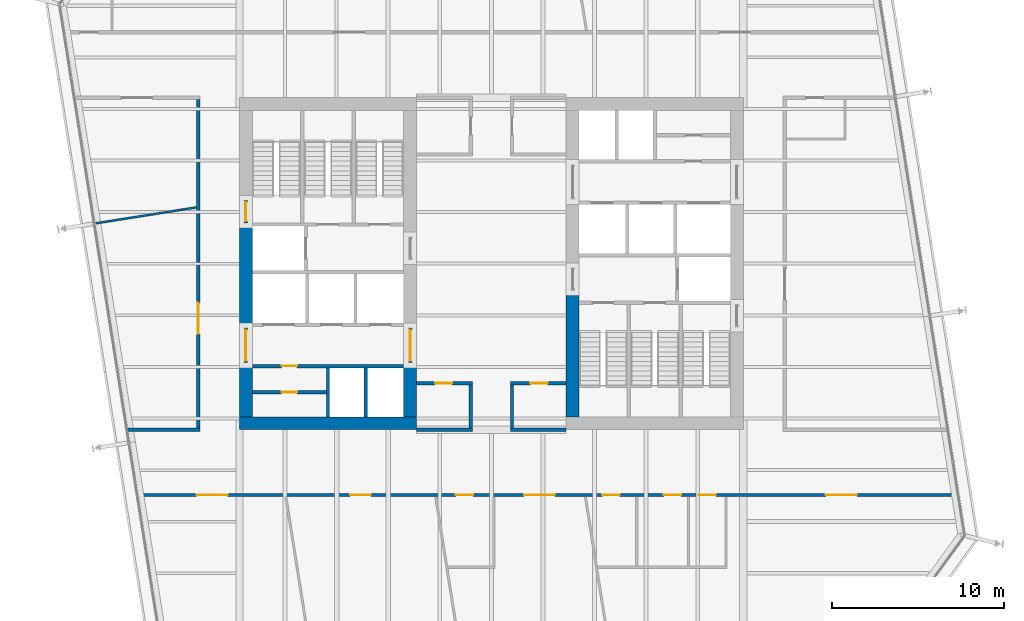
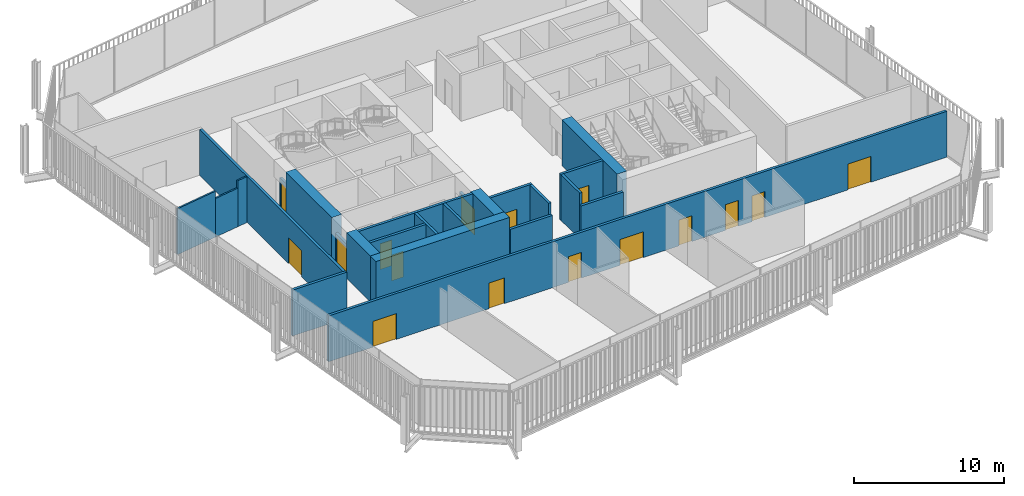
# One storey, part 17 of 21: 24 walls, 16 doors, 16 openings.
"""IFC4 building model written with IfcOpenShell, lengths in metres."""

from ifc_helpers import new_model, si_unit, direction, frame, frame_2d, origin, place, context, subcontext, project, spatial, rectangle, extrude, material, layer, layer_set, type_object, element, fill, save


model = new_model("IFC4")

# Units and contexts
model_context = context("Model", 3, precision=1e-05, world=origin(), true_north=direction((0.0, 1.0)))
body_context = subcontext(model_context, "Body", "Model", "MODEL_VIEW")
ifc_project = project(units=[si_unit("LENGTHUNIT", "METRE"), si_unit("AREAUNIT", "SQUARE_METRE"), si_unit("VOLUMEUNIT", "CUBIC_METRE"), si_unit("PLANEANGLEUNIT", "RADIAN"), si_unit("MASSUNIT", "GRAM", prefix="KILO")], contexts=[model_context])

# Site, building, storey
site_placement = place(None, origin())
site = spatial("IfcSite", under=ifc_project, at=site_placement, CompositionType="ELEMENT")
building_placement = place(site_placement, origin())
building = spatial("IfcBuilding", under=site, at=building_placement, Name="Millrace Tower", CompositionType="ELEMENT")
storey_placement = place(building_placement, frame((0.0, 0.0, 149.0)))
storey = spatial("IfcBuildingStorey", under=building, at=storey_placement, Name="L33", CompositionType="ELEMENT", Elevation=149.0)

# Walls
ifc_material_1 = material(Name="Concrete C70", Category="concrete")
ifc_layer_1 = layer(ifc_material_1, 0.75)
ifc_layer_set_1 = layer_set([ifc_layer_1], Name="Concrete C70")
wall_type_1 = type_object("IfcWallType", Name="Core wall 750 Concrete C70", PredefinedType="SHEAR", material=ifc_layer_set_1)
wall_1_placement = place(storey_placement, frame((-14.64990234375, -9.27490234375, 0.0), z_axis=(0.0, 0.0, 1.0), x_axis=(1.0, 0.0, 0.0)))
element("IfcWall", 1, at=wall_1_placement, inside=storey, type_object=wall_type_1, Name="Core wall W L33", PredefinedType="SHEAR", context=body_context, shape_type="SweptSolid", body=[
    extrude(rectangle(XDim=10.2998046875, YDim=0.75, at=frame_2d((5.14990234375, 0.0))), origin(), (0.0, 0.0, 1.0), 3.739990234375),
])
wall_2_placement = place(storey_placement, frame((-14.27490234375, -8.89990234375, 0.0), z_axis=(0.0, 0.0, 1.0), x_axis=(0.0, 1.0, 0.0)))
element("IfcWall", 2, at=wall_2_placement, inside=storey, type_object=wall_type_1, Name="Core wall W L33", PredefinedType="SHEAR", context=body_context, shape_type="SweptSolid", body=[
    extrude(rectangle(XDim=3.14990234375, YDim=0.75, at=frame_2d((1.574951171875, 0.0))), origin(), (0.0, 0.0, 1.0), 3.739990234375),
])
wall_3_placement = place(storey_placement, frame((-14.27490234375, -3.75, 0.0), z_axis=(0.0, 0.0, 1.0), x_axis=(0.0, 1.0, 0.0)))
element("IfcWall", 3, at=wall_3_placement, inside=storey, type_object=wall_type_1, Name="Core wall W L33", PredefinedType="SHEAR", context=body_context, shape_type="SweptSolid", body=[
    extrude(rectangle(XDim=6.1298828125, YDim=0.75, at=frame_2d((3.06494140625, 0.0))), origin(), (0.0, 0.0, 1.0), 3.739990234375),
])
wall_4_placement = place(storey_placement, frame((-4.72509765625, -8.89990234375, 0.0), z_axis=(0.0, 0.0, 1.0), x_axis=(0.0, 1.0, 0.0)))
element("IfcWall", 4, at=wall_4_placement, inside=storey, type_object=wall_type_1, Name="Core wall W L33", PredefinedType="SHEAR", context=body_context, shape_type="SweptSolid", body=[
    extrude(rectangle(XDim=3.14990234375, YDim=0.75, at=frame_2d((1.574951171875, 0.0))), origin(), (0.0, 0.0, 1.0), 3.739990234375),
])
wall_5_placement = place(storey_placement, frame((4.72509765625, -1.550048828125, 0.0), z_axis=(0.0, 0.0, 1.0), x_axis=(0.0, -1.0, 0.0)))
element("IfcWall", 5, at=wall_5_placement, inside=storey, type_object=wall_type_1, Name="Core wall E L33", PredefinedType="SHEAR", context=body_context, shape_type="SweptSolid", body=[
    extrude(rectangle(XDim=7.349853515625, YDim=0.75, at=frame_2d((3.6748046875, 0.0))), origin(), (0.0, 0.0, 1.0), 3.739990234375),
])

# Wall, openings, doors
ifc_material_2 = material(Name="Masonry partition, fire-rated", Category="masonry")
ifc_layer_2 = layer(ifc_material_2, 0.199951171875)
ifc_layer_set_2 = layer_set([ifc_layer_2], Name="Masonry partition, fire-rated")
wall_type_2 = type_object("IfcWallType", Name="Corridor wall 200", PredefinedType="PARTITIONING", material=ifc_layer_set_2)
wall_6_placement = place(storey_placement, frame((-20.548583984375, -13.449951171875, 0.0), z_axis=(0.0, 0.0, 1.0), x_axis=(1.0, 0.0, 0.0)))
wall_6 = element("IfcWall", 6, at=wall_6_placement, inside=storey, type_object=wall_type_2, Name="Corridor wall L33", PredefinedType="PARTITIONING", context=body_context, shape_type="SweptSolid", body=[
    extrude(rectangle(XDim=47.646728515625, YDim=0.199951171875, at=frame_2d((23.8232421875, 0.0))), origin(), (0.0, 0.0, 1.0), 3.739990234375),
])
opening_1_placement = place(wall_6_placement, frame((3.41796875, 0.0, 0.0)))
opening_1 = element("IfcOpeningElement", 7, at=opening_1_placement, cuts=wall_6, Name="Opening 33-P010", PredefinedType="OPENING", context=body_context, shape_type="SweptSolid", body=[
    extrude(rectangle(XDim=1.800048828125, YDim=2.10009765625, at=frame_2d((0.89990234375, 1.050048828125))), frame((0.0, 0.10986328125, 0.0), z_axis=(0.0, -1.0, 0.0), x_axis=(1.0, 0.0, 0.0)), (0.0, 0.0, 1.0), 0.219970703125),
])
opening_2_placement = place(wall_6_placement, frame((12.3388671875, 0.0, 0.0)))
opening_2 = element("IfcOpeningElement", 8, at=opening_2_placement, cuts=wall_6, Name="Opening 33-P011", PredefinedType="OPENING", context=body_context, shape_type="SweptSolid", body=[
    extrude(rectangle(XDim=1.199951171875, YDim=2.10009765625, at=frame_2d((0.60009765625, 1.050048828125))), frame((0.0, 0.10986328125, 0.0), z_axis=(0.0, -1.0, 0.0), x_axis=(1.0, 0.0, 0.0)), (0.0, 0.0, 1.0), 0.219970703125),
])
opening_3_placement = place(wall_6_placement, frame((22.446533203125, 0.0, 0.0)))
opening_3 = element("IfcOpeningElement", 9, at=opening_3_placement, cuts=wall_6, Name="Opening 33-P012", PredefinedType="OPENING", context=body_context, shape_type="SweptSolid", body=[
    extrude(rectangle(XDim=1.800048828125, YDim=2.10009765625, at=frame_2d((0.89990234375, 1.050048828125))), frame((0.0, 0.10986328125, 0.0), z_axis=(0.0, -1.0, 0.0), x_axis=(1.0, 0.0, 0.0)), (0.0, 0.0, 1.0), 0.219970703125),
])
opening_4_placement = place(wall_6_placement, frame((18.492431640625, 0.0, 0.0)))
opening_4 = element("IfcOpeningElement", 10, at=opening_4_placement, cuts=wall_6, Name="Opening 33-P013", PredefinedType="OPENING", context=body_context, shape_type="SweptSolid", body=[
    extrude(rectangle(XDim=1.0, YDim=2.10009765625, at=frame_2d((0.5, 1.050048828125))), frame((0.0, 0.10986328125, 0.0), z_axis=(0.0, -1.0, 0.0), x_axis=(1.0, 0.0, 0.0)), (0.0, 0.0, 1.0), 0.219970703125),
])
opening_5_placement = place(wall_6_placement, frame((39.99853515625, 0.0, 0.0)))
opening_5 = element("IfcOpeningElement", 11, at=opening_5_placement, cuts=wall_6, Name="Opening 33-P014", PredefinedType="OPENING", context=body_context, shape_type="SweptSolid", body=[
    extrude(rectangle(XDim=1.800048828125, YDim=2.10009765625, at=frame_2d((0.89990234375, 1.050048828125))), frame((0.0, 0.10986328125, 0.0), z_axis=(0.0, -1.0, 0.0), x_axis=(1.0, 0.0, 0.0)), (0.0, 0.0, 1.0), 0.219970703125),
])
opening_6_placement = place(wall_6_placement, frame((27.00048828125, 0.0, 0.0)))
opening_6 = element("IfcOpeningElement", 12, at=opening_6_placement, cuts=wall_6, Name="Opening 33-P015", PredefinedType="OPENING", context=body_context, shape_type="SweptSolid", body=[
    extrude(rectangle(XDim=1.0, YDim=2.10009765625, at=frame_2d((0.5, 1.050048828125))), frame((0.0, 0.10986328125, 0.0), z_axis=(0.0, -1.0, 0.0), x_axis=(1.0, 0.0, 0.0)), (0.0, 0.0, 1.0), 0.219970703125),
])
opening_7_placement = place(wall_6_placement, frame((30.577392578125, 0.0, 0.0)))
opening_7 = element("IfcOpeningElement", 13, at=opening_7_placement, cuts=wall_6, Name="Opening 33-P016", PredefinedType="OPENING", context=body_context, shape_type="SweptSolid", body=[
    extrude(rectangle(XDim=1.0, YDim=2.10009765625, at=frame_2d((0.5, 1.050048828125))), frame((0.0, 0.10986328125, 0.0), z_axis=(0.0, -1.0, 0.0), x_axis=(1.0, 0.0, 0.0)), (0.0, 0.0, 1.0), 0.219970703125),
])
opening_8_placement = place(wall_6_placement, frame((32.6005859375, 0.0, 0.0)))
opening_8 = element("IfcOpeningElement", 14, at=opening_8_placement, cuts=wall_6, Name="Opening 33-P017", PredefinedType="OPENING", context=body_context, shape_type="SweptSolid", body=[
    extrude(rectangle(XDim=1.0, YDim=2.10009765625, at=frame_2d((0.5, 1.050048828125))), frame((0.0, 0.10986328125, 0.0), z_axis=(0.0, -1.0, 0.0), x_axis=(1.0, 0.0, 0.0)), (0.0, 0.0, 1.0), 0.219970703125),
])
ifc_material_3 = material(Name="Steel door set, fire-rated", Category="steel")
door_type_1 = type_object("IfcDoorType", Name="Corridor door 1000 x 2100", OperationType="SINGLE_SWING_LEFT", PredefinedType="DOOR", material=ifc_material_3)
door_1_placement = place(opening_4_placement, frame((1.0, 0.0, 0.0), z_axis=(0.0, 0.0, 1.0), x_axis=(-1.0, 0.0, 0.0)))
door_1 = element("IfcDoor", 15, at=door_1_placement, inside=storey, type_object=door_type_1, Name="Door 33-P013", OperationType="SINGLE_SWING_RIGHT", OverallHeight=2.10009765625, OverallWidth=1.0, PredefinedType="DOOR", context=body_context, shape_type="SweptSolid", body=[
    extrude(rectangle(XDim=1.0, YDim=2.10009765625, at=frame_2d((0.5, 1.050048828125))), frame((0.0, 0.02490234375, 0.0), z_axis=(0.0, -1.0, 0.0), x_axis=(1.0, 0.0, 0.0)), (0.0, 0.0, 1.0), 0.050048828125),
])
fill(opening_4, door_1)
door_2_placement = place(opening_6_placement, frame((1.0, 0.0, 0.0), z_axis=(0.0, 0.0, 1.0), x_axis=(-1.0, 0.0, 0.0)))
door_2 = element("IfcDoor", 16, at=door_2_placement, inside=storey, type_object=door_type_1, Name="Door 33-P015", OperationType="SINGLE_SWING_LEFT", OverallHeight=2.10009765625, OverallWidth=1.0, PredefinedType="DOOR", context=body_context, shape_type="SweptSolid", body=[
    extrude(rectangle(XDim=1.0, YDim=2.10009765625, at=frame_2d((0.5, 1.050048828125))), frame((0.0, 0.02490234375, 0.0), z_axis=(0.0, -1.0, 0.0), x_axis=(1.0, 0.0, 0.0)), (0.0, 0.0, 1.0), 0.050048828125),
])
fill(opening_6, door_2)
door_3_placement = place(opening_7_placement, frame((1.0, 0.0, 0.0), z_axis=(0.0, 0.0, 1.0), x_axis=(-1.0, 0.0, 0.0)))
door_3 = element("IfcDoor", 17, at=door_3_placement, inside=storey, type_object=door_type_1, Name="Door 33-P016", OperationType="SINGLE_SWING_LEFT", OverallHeight=2.10009765625, OverallWidth=1.0, PredefinedType="DOOR", context=body_context, shape_type="SweptSolid", body=[
    extrude(rectangle(XDim=1.0, YDim=2.10009765625, at=frame_2d((0.5, 1.050048828125))), frame((0.0, 0.02490234375, 0.0), z_axis=(0.0, -1.0, 0.0), x_axis=(1.0, 0.0, 0.0)), (0.0, 0.0, 1.0), 0.050048828125),
])
fill(opening_7, door_3)
door_4_placement = place(opening_8_placement, frame((1.0, 0.0, 0.0), z_axis=(0.0, 0.0, 1.0), x_axis=(-1.0, 0.0, 0.0)))
door_4 = element("IfcDoor", 18, at=door_4_placement, inside=storey, type_object=door_type_1, Name="Door 33-P017", OperationType="SINGLE_SWING_LEFT", OverallHeight=2.10009765625, OverallWidth=1.0, PredefinedType="DOOR", context=body_context, shape_type="SweptSolid", body=[
    extrude(rectangle(XDim=1.0, YDim=2.10009765625, at=frame_2d((0.5, 1.050048828125))), frame((0.0, 0.02490234375, 0.0), z_axis=(0.0, -1.0, 0.0), x_axis=(1.0, 0.0, 0.0)), (0.0, 0.0, 1.0), 0.050048828125),
])
fill(opening_8, door_4)
ifc_material_4 = material(Name="Steel door set, fire-rated", Category="steel")
door_type_2 = type_object("IfcDoorType", Name="Corridor door 1200 x 2100", OperationType="SINGLE_SWING_LEFT", PredefinedType="DOOR", material=ifc_material_4)
door_5_placement = place(opening_2_placement, frame((1.199951171875, 0.0, 0.0), z_axis=(0.0, 0.0, 1.0), x_axis=(-1.0, 0.0, 0.0)))
door_5 = element("IfcDoor", 19, at=door_5_placement, inside=storey, type_object=door_type_2, Name="Door 33-P011", OperationType="SINGLE_SWING_RIGHT", OverallHeight=2.10009765625, OverallWidth=1.199951171875, PredefinedType="DOOR", context=body_context, shape_type="SweptSolid", body=[
    extrude(rectangle(XDim=1.199951171875, YDim=2.10009765625, at=frame_2d((0.60009765625, 1.050048828125))), frame((0.0, 0.02490234375, 0.0), z_axis=(0.0, -1.0, 0.0), x_axis=(1.0, 0.0, 0.0)), (0.0, 0.0, 1.0), 0.050048828125),
])
fill(opening_2, door_5)
ifc_material_5 = material(Name="Steel door set, fire-rated", Category="steel")
door_type_3 = type_object("IfcDoorType", Name="Corridor door 1800 x 2100", OperationType="DOUBLE_DOOR_SINGLE_SWING", PredefinedType="DOOR", material=ifc_material_5)
door_6_placement = place(opening_1_placement, frame((1.800048828125, 0.0, 0.0), z_axis=(0.0, 0.0, 1.0), x_axis=(-1.0, 0.0, 0.0)))
door_6 = element("IfcDoor", 20, at=door_6_placement, inside=storey, type_object=door_type_3, Name="Door 33-P010", OperationType="DOUBLE_DOOR_SINGLE_SWING", OverallHeight=2.10009765625, OverallWidth=1.800048828125, PredefinedType="DOOR", context=body_context, shape_type="SweptSolid", body=[
    extrude(rectangle(XDim=1.800048828125, YDim=2.10009765625, at=frame_2d((0.89990234375, 1.050048828125))), frame((0.0, 0.02490234375, 0.0), z_axis=(0.0, -1.0, 0.0), x_axis=(1.0, 0.0, 0.0)), (0.0, 0.0, 1.0), 0.050048828125),
])
fill(opening_1, door_6)
door_7_placement = place(opening_3_placement, frame((1.800048828125, 0.0, 0.0), z_axis=(0.0, 0.0, 1.0), x_axis=(-1.0, 0.0, 0.0)))
door_7 = element("IfcDoor", 21, at=door_7_placement, inside=storey, type_object=door_type_3, Name="Door 33-P012", OperationType="DOUBLE_DOOR_SINGLE_SWING", OverallHeight=2.10009765625, OverallWidth=1.800048828125, PredefinedType="DOOR", context=body_context, shape_type="SweptSolid", body=[
    extrude(rectangle(XDim=1.800048828125, YDim=2.10009765625, at=frame_2d((0.89990234375, 1.050048828125))), frame((0.0, 0.02490234375, 0.0), z_axis=(0.0, -1.0, 0.0), x_axis=(1.0, 0.0, 0.0)), (0.0, 0.0, 1.0), 0.050048828125),
])
fill(opening_3, door_7)
door_8_placement = place(opening_5_placement, frame((1.800048828125, 0.0, 0.0), z_axis=(0.0, 0.0, 1.0), x_axis=(-1.0, 0.0, 0.0)))
door_8 = element("IfcDoor", 22, at=door_8_placement, inside=storey, type_object=door_type_3, Name="Door 33-P014", OperationType="DOUBLE_DOOR_SINGLE_SWING", OverallHeight=2.10009765625, OverallWidth=1.800048828125, PredefinedType="DOOR", context=body_context, shape_type="SweptSolid", body=[
    extrude(rectangle(XDim=1.800048828125, YDim=2.10009765625, at=frame_2d((0.89990234375, 1.050048828125))), frame((0.0, 0.02490234375, 0.0), z_axis=(0.0, -1.0, 0.0), x_axis=(1.0, 0.0, 0.0)), (0.0, 0.0, 1.0), 0.050048828125),
])
fill(opening_5, door_8)

# Walls
wall_7_placement = place(storey_placement, frame((-21.150390625, -9.64990234375, 0.0), z_axis=(0.0, 0.0, 1.0), x_axis=(1.0, 0.0, 0.0)))
element("IfcWall", 23, at=wall_7_placement, inside=storey, type_object=wall_type_2, Name="Corridor wall L33", PredefinedType="PARTITIONING", context=body_context, shape_type="SweptSolid", body=[
    extrude(rectangle(XDim=4.200439453125, YDim=0.199951171875, at=frame_2d((2.10009765625, 0.0))), origin(), (0.0, 0.0, 1.0), 3.739990234375),
])
for number, where, z_axis, x_axis, name in (
    (24, (-4.35009765625, -9.64990234375, 0.0), (0.0, 0.0, 1.0), (1.0, 0.0, 0.0), "Corridor wall L33"),
    (25, (1.10009765625, -9.64990234375, 0.0), (0.0, 0.0, 1.0), (1.0, 0.0, 0.0), "Corridor wall L33"),
):
    element("IfcWall", number, at=place(storey_placement, frame(where, z_axis=z_axis, x_axis=x_axis)), inside=storey, type_object=wall_type_2, Name=name, PredefinedType="PARTITIONING", context=body_context, shape_type="SweptSolid", body=[
        extrude(rectangle(XDim=3.25, YDim=0.199951171875, at=frame_2d((1.625, 0.0))), origin(), (0.0, 0.0, 1.0), 2.81298828125),
    ])

# Wall, opening, door
wall_8_placement = place(storey_placement, frame((-4.35009765625, -6.949951171875, 0.0), z_axis=(0.0, 0.0, 1.0), x_axis=(1.0, 0.0, 0.0)))
wall_8 = element("IfcWall", 26, at=wall_8_placement, inside=storey, type_object=wall_type_2, Name="Corridor wall L33", PredefinedType="PARTITIONING", context=body_context, shape_type="SweptSolid", body=[
    extrude(rectangle(XDim=3.25, YDim=0.199951171875, at=frame_2d((1.625, 0.0))), origin(), (0.0, 0.0, 1.0), 3.739990234375),
])
opening_9_placement = place(wall_8_placement, frame((1.074951171875, 0.0, 0.0)))
opening_9 = element("IfcOpeningElement", 27, at=opening_9_placement, cuts=wall_8, Name="Opening 33-P003", PredefinedType="OPENING", context=body_context, shape_type="SweptSolid", body=[
    extrude(rectangle(XDim=1.0, YDim=2.10009765625, at=frame_2d((0.5, 1.050048828125))), frame((0.0, 0.10986328125, 0.0), z_axis=(0.0, -1.0, 0.0), x_axis=(1.0, 0.0, 0.0)), (0.0, 0.0, 1.0), 0.219970703125),
])
door_9_placement = place(opening_9_placement, frame((1.0, 0.0, 0.0), z_axis=(0.0, 0.0, 1.0), x_axis=(-1.0, 0.0, 0.0)))
door_9 = element("IfcDoor", 28, at=door_9_placement, inside=storey, type_object=door_type_1, Name="Door 33-P003", OperationType="SINGLE_SWING_LEFT", OverallHeight=2.10009765625, OverallWidth=1.0, PredefinedType="DOOR", context=body_context, shape_type="SweptSolid", body=[
    extrude(rectangle(XDim=1.0, YDim=2.10009765625, at=frame_2d((0.5, 1.050048828125))), frame((0.0, 0.02490234375, 0.0), z_axis=(0.0, -1.0, 0.0), x_axis=(1.0, 0.0, 0.0)), (0.0, 0.0, 1.0), 0.050048828125),
])
fill(opening_9, door_9)

wall_9_placement = place(storey_placement, frame((1.10009765625, -6.949951171875, 0.0), z_axis=(0.0, 0.0, 1.0), x_axis=(1.0, 0.0, 0.0)))
wall_9 = element("IfcWall", 29, at=wall_9_placement, inside=storey, type_object=wall_type_2, Name="Corridor wall L33", PredefinedType="PARTITIONING", context=body_context, shape_type="SweptSolid", body=[
    extrude(rectangle(XDim=3.25, YDim=0.199951171875, at=frame_2d((1.625, 0.0))), origin(), (0.0, 0.0, 1.0), 3.739990234375),
])
opening_10_placement = place(wall_9_placement, frame((1.175048828125, 0.0, 0.0)))
opening_10 = element("IfcOpeningElement", 30, at=opening_10_placement, cuts=wall_9, Name="Opening 33-P004", PredefinedType="OPENING", context=body_context, shape_type="SweptSolid", body=[
    extrude(rectangle(XDim=1.0, YDim=2.10009765625, at=frame_2d((0.5, 1.050048828125))), frame((0.0, 0.10986328125, 0.0), z_axis=(0.0, -1.0, 0.0), x_axis=(1.0, 0.0, 0.0)), (0.0, 0.0, 1.0), 0.219970703125),
])
door_10_placement = place(opening_10_placement, frame((1.0, 0.0, 0.0), z_axis=(0.0, 0.0, 1.0), x_axis=(-1.0, 0.0, 0.0)))
door_10 = element("IfcDoor", 31, at=door_10_placement, inside=storey, type_object=door_type_1, Name="Door 33-P004", OperationType="SINGLE_SWING_LEFT", OverallHeight=2.10009765625, OverallWidth=1.0, PredefinedType="DOOR", context=body_context, shape_type="SweptSolid", body=[
    extrude(rectangle(XDim=1.0, YDim=2.10009765625, at=frame_2d((0.5, 1.050048828125))), frame((0.0, 0.02490234375, 0.0), z_axis=(0.0, -1.0, 0.0), x_axis=(1.0, 0.0, 0.0)), (0.0, 0.0, 1.0), 0.050048828125),
])
fill(opening_10, door_10)

# Walls
for number, where, z_axis, x_axis, name in (
    (32, (1.199951171875, -9.550048828125, 0.0), (0.0, 0.0, 1.0), (0.0, 1.0, 0.0), "Corridor wall L33"),
    (33, (-1.199951171875, -9.550048828125, 0.0), (0.0, 0.0, 1.0), (0.0, 1.0, 0.0), "Corridor wall L33"),
):
    element("IfcWall", number, at=place(storey_placement, frame(where, z_axis=z_axis, x_axis=x_axis)), inside=storey, type_object=wall_type_2, Name=name, PredefinedType="PARTITIONING", context=body_context, shape_type="SweptSolid", body=[
        extrude(rectangle(XDim=2.5, YDim=0.199951171875, at=frame_2d((1.25, 0.0))), origin(), (0.0, 0.0, 1.0), 3.739990234375),
    ])

# Wall, opening, door
wall_10_placement = place(storey_placement, frame((-17.050048828125, -9.550048828125, 0.0), z_axis=(0.0, 0.0, 1.0), x_axis=(0.0, 1.0, 0.0)))
wall_10 = element("IfcWall", 34, at=wall_10_placement, inside=storey, type_object=wall_type_2, Name="Corridor wall L33", PredefinedType="PARTITIONING", context=body_context, shape_type="SweptSolid", body=[
    extrude(rectangle(XDim=19.10009765625, YDim=0.199951171875, at=frame_2d((9.550048828125, 0.0))), origin(), (0.0, 0.0, 1.0), 3.739990234375),
])
opening_11_placement = place(wall_10_placement, frame((5.469970703125, 0.0, 0.0)))
opening_11 = element("IfcOpeningElement", 35, at=opening_11_placement, cuts=wall_10, Name="Opening 33-P018", PredefinedType="OPENING", context=body_context, shape_type="SweptSolid", body=[
    extrude(rectangle(XDim=1.800048828125, YDim=2.10009765625, at=frame_2d((0.89990234375, 1.050048828125))), frame((0.0, 0.10986328125, 0.0), z_axis=(0.0, -1.0, 0.0), x_axis=(1.0, 0.0, 0.0)), (0.0, 0.0, 1.0), 0.219970703125),
])
door_11_placement = place(opening_11_placement, origin())
door_11 = element("IfcDoor", 36, at=door_11_placement, inside=storey, type_object=door_type_3, Name="Door 33-P018", OperationType="DOUBLE_DOOR_SINGLE_SWING", OverallHeight=2.10009765625, OverallWidth=1.800048828125, PredefinedType="DOOR", context=body_context, shape_type="SweptSolid", body=[
    extrude(rectangle(XDim=1.800048828125, YDim=2.10009765625, at=frame_2d((0.89990234375, 1.050048828125))), frame((0.0, 0.02490234375, 0.0), z_axis=(0.0, -1.0, 0.0), x_axis=(1.0, 0.0, 0.0)), (0.0, 0.0, 1.0), 0.050048828125),
])
fill(opening_11, door_11)

ifc_material_6 = material(Name="Masonry partition, fire-rated", Category="masonry")
ifc_layer_3 = layer(ifc_material_6, 0.199951171875)
ifc_layer_set_3 = layer_set([ifc_layer_3], Name="Masonry partition, fire-rated")
wall_type_3 = type_object("IfcWallType", Name="Lift shaft wall 200", PredefinedType="PARTITIONING", material=ifc_layer_set_3)
wall_11_placement = place(storey_placement, frame((-13.89990234375, -5.949951171875, 0.0), z_axis=(0.0, 0.0, 1.0), x_axis=(1.0, 0.0, 0.0)))
wall_11 = element("IfcWall", 37, at=wall_11_placement, inside=storey, type_object=wall_type_3, Name="Lift shaft wall W L33", PredefinedType="PARTITIONING", context=body_context, shape_type="SweptSolid", body=[
    extrude(rectangle(XDim=8.7998046875, YDim=0.199951171875, at=frame_2d((4.39990234375, 0.0))), origin(), (0.0, 0.0, 1.0), 3.739990234375),
])
opening_12_placement = place(wall_11_placement, frame((1.699951171875, 0.0, 0.0)))
opening_12 = element("IfcOpeningElement", 38, at=opening_12_placement, cuts=wall_11, Name="Opening 33-C005", PredefinedType="OPENING", context=body_context, shape_type="SweptSolid", body=[
    extrude(rectangle(XDim=0.89990234375, YDim=2.10009765625, at=frame_2d((0.449951171875, 1.050048828125))), frame((0.0, 0.10986328125, 0.0), z_axis=(0.0, -1.0, 0.0), x_axis=(1.0, 0.0, 0.0)), (0.0, 0.0, 1.0), 0.219970703125),
])
ifc_material_7 = material(Name="Steel door, fire-rated", Category="steel")
door_type_4 = type_object("IfcDoorType", Name="Service room door 900 x 2100", OperationType="SINGLE_SWING_LEFT", PredefinedType="DOOR", material=ifc_material_7)
door_12_placement = place(opening_12_placement, origin())
door_12 = element("IfcDoor", 39, at=door_12_placement, inside=storey, type_object=door_type_4, Name="Service room door 33-C005", OperationType="SINGLE_SWING_LEFT", OverallHeight=2.10009765625, OverallWidth=0.89990234375, PredefinedType="DOOR", context=body_context, shape_type="SweptSolid", body=[
    extrude(rectangle(XDim=0.89990234375, YDim=2.10009765625, at=frame_2d((0.449951171875, 1.050048828125))), frame((0.0, 0.02490234375, 0.0), z_axis=(0.0, -1.0, 0.0), x_axis=(1.0, 0.0, 0.0)), (0.0, 0.0, 1.0), 0.050048828125),
])
fill(opening_12, door_12)

# Walls
for number, where, z_axis, x_axis, name in (
    (40, (-9.5, -8.89990234375, 0.0), (0.0, 0.0, 1.0), (0.0, 1.0, 0.0), "Lift shaft wall W L33"),
    (41, (-7.300048828125, -8.89990234375, 0.0), (0.0, 0.0, 1.0), (0.0, 1.0, 0.0), "Lift shaft wall W L33"),
):
    element("IfcWall", number, at=place(storey_placement, frame(where, z_axis=z_axis, x_axis=x_axis)), inside=storey, type_object=wall_type_3, Name=name, PredefinedType="PARTITIONING", context=body_context, shape_type="SweptSolid", body=[
        extrude(rectangle(XDim=2.849853515625, YDim=0.199951171875, at=frame_2d((1.4248046875, 0.0))), origin(), (0.0, 0.0, 1.0), 3.739990234375),
    ])

# Wall, opening, door
ifc_material_8 = material(Name="Masonry partition, fire-rated", Category="masonry")
ifc_layer_4 = layer(ifc_material_8, 0.199951171875)
ifc_layer_set_4 = layer_set([ifc_layer_4], Name="Masonry partition, fire-rated")
wall_type_4 = type_object("IfcWallType", Name="Lobby wall 200", PredefinedType="PARTITIONING", material=ifc_layer_set_4)
wall_12_placement = place(storey_placement, frame((-14.27490234375, -5.75, 0.0), z_axis=(0.0, 0.0, 1.0), x_axis=(0.0, 1.0, 0.0)))
wall_12 = element("IfcWall", 42, at=wall_12_placement, inside=storey, type_object=wall_type_4, Name="Lobby wall W L33", PredefinedType="PARTITIONING", context=body_context, shape_type="SweptSolid", body=[
    extrude(rectangle(XDim=2.0, YDim=0.199951171875, at=frame_2d((1.0, 0.0))), origin(), (0.0, 0.0, 1.0), 2.39990234375),
])
opening_13_placement = place(wall_12_placement, frame((0.10009765625, 0.0, 0.0)))
opening_13 = element("IfcOpeningElement", 43, at=opening_13_placement, cuts=wall_12, Name="Opening 33-C001", PredefinedType="OPENING", context=body_context, shape_type="SweptSolid", body=[
    extrude(rectangle(XDim=1.800048828125, YDim=2.10009765625, at=frame_2d((0.89990234375, 1.050048828125))), frame((0.0, 0.10986328125, 0.0), z_axis=(0.0, -1.0, 0.0), x_axis=(1.0, 0.0, 0.0)), (0.0, 0.0, 1.0), 0.219970703125),
])
ifc_material_9 = material(Name="Steel door, fire-rated", Category="steel")
door_type_5 = type_object("IfcDoorType", Name="Lobby door 1800 x 2100", OperationType="DOUBLE_DOOR_SINGLE_SWING", PredefinedType="DOOR", material=ifc_material_9)
door_13_placement = place(opening_13_placement, origin())
door_13 = element("IfcDoor", 44, at=door_13_placement, inside=storey, type_object=door_type_5, Name="Lobby door 33-C001", OperationType="DOUBLE_DOOR_SINGLE_SWING", OverallHeight=2.10009765625, OverallWidth=1.800048828125, PredefinedType="DOOR", context=body_context, shape_type="SweptSolid", body=[
    extrude(rectangle(XDim=1.800048828125, YDim=2.10009765625, at=frame_2d((0.89990234375, 1.050048828125))), frame((0.0, 0.02490234375, 0.0), z_axis=(0.0, -1.0, 0.0), x_axis=(1.0, 0.0, 0.0)), (0.0, 0.0, 1.0), 0.050048828125),
])
fill(opening_13, door_13)

wall_13_placement = place(storey_placement, frame((-4.72509765625, -5.75, 0.0), z_axis=(0.0, 0.0, 1.0), x_axis=(0.0, 1.0, 0.0)))
wall_13 = element("IfcWall", 45, at=wall_13_placement, inside=storey, type_object=wall_type_4, Name="Lobby wall W L33", PredefinedType="PARTITIONING", context=body_context, shape_type="SweptSolid", body=[
    extrude(rectangle(XDim=2.0, YDim=0.199951171875, at=frame_2d((1.0, 0.0))), origin(), (0.0, 0.0, 1.0), 2.39990234375),
])
opening_14_placement = place(wall_13_placement, frame((0.10009765625, 0.0, 0.0)))
opening_14 = element("IfcOpeningElement", 46, at=opening_14_placement, cuts=wall_13, Name="Opening 33-C003", PredefinedType="OPENING", context=body_context, shape_type="SweptSolid", body=[
    extrude(rectangle(XDim=1.800048828125, YDim=2.10009765625, at=frame_2d((0.89990234375, 1.050048828125))), frame((0.0, 0.10986328125, 0.0), z_axis=(0.0, -1.0, 0.0), x_axis=(1.0, 0.0, 0.0)), (0.0, 0.0, 1.0), 0.219970703125),
])
door_14_placement = place(opening_14_placement, origin())
door_14 = element("IfcDoor", 47, at=door_14_placement, inside=storey, type_object=door_type_5, Name="Lobby door 33-C003", OperationType="DOUBLE_DOOR_SINGLE_SWING", OverallHeight=2.10009765625, OverallWidth=1.800048828125, PredefinedType="DOOR", context=body_context, shape_type="SweptSolid", body=[
    extrude(rectangle(XDim=1.800048828125, YDim=2.10009765625, at=frame_2d((0.89990234375, 1.050048828125))), frame((0.0, 0.02490234375, 0.0), z_axis=(0.0, -1.0, 0.0), x_axis=(1.0, 0.0, 0.0)), (0.0, 0.0, 1.0), 0.050048828125),
])
fill(opening_14, door_14)

# Walls
ifc_material_10 = material(Name="Gypsum board partition")
ifc_layer_5 = layer(ifc_material_10, 0.1201171875)
ifc_layer_set_5 = layer_set([ifc_layer_5], Name="Gypsum board partition")
wall_type_5 = type_object("IfcWallType", Name="Partition wall 120", PredefinedType="PARTITIONING", material=ifc_layer_set_5)
wall_14_placement = place(storey_placement, frame((-23.04931640625, 2.340087890625, 0.0), z_axis=(0.0, 0.0, 1.0), x_axis=(0.987689028816, 0.156430119722, 0.0)))
element("IfcWall", 48, at=wall_14_placement, inside=storey, type_object=wall_type_5, Name="Partition wall L33", PredefinedType="PARTITIONING", context=body_context, shape_type="SweptSolid", body=[
    extrude(rectangle(XDim=3.271240234375, YDim=0.1201171875, at=frame_2d((1.6357421875, 0.0))), origin(), (0.0, 0.0, 1.0), 3.739990234375),
])
wall_15_placement = place(storey_placement, frame((-19.818359375, 2.851806640625, 0.0), z_axis=(0.0, 0.0, 1.0), x_axis=(0.987713861463, 0.156273247467, 0.0)))
element("IfcWall", 49, at=wall_15_placement, inside=storey, type_object=wall_type_5, Name="Partition wall L33", PredefinedType="PARTITIONING", context=body_context, shape_type="SweptSolid", body=[
    extrude(rectangle(XDim=1.896484375, YDim=0.1201171875, at=frame_2d((0.9482421875, 0.0))), origin(), (0.0, 0.0, 1.0), 3.140625),
])
wall_16_placement = place(storey_placement, frame((-17.945068359375, 3.148193359375, 0.0), z_axis=(0.0, 0.0, 1.0), x_axis=(0.987671963472, 0.15653783112, 0.0)))
element("IfcWall", 50, at=wall_16_placement, inside=storey, type_object=wall_type_5, Name="Partition wall L33", PredefinedType="PARTITIONING", context=body_context, shape_type="SweptSolid", body=[
    extrude(rectangle(XDim=0.806396484375, YDim=0.1201171875, at=frame_2d((0.4033203125, 0.0))), origin(), (0.0, 0.0, 1.0), 3.739990234375),
])

# Wall, opening, door
ifc_material_11 = material(Name="Masonry partition, fire-rated", Category="masonry")
ifc_layer_6 = layer(ifc_material_11, 0.199951171875)
ifc_layer_set_6 = layer_set([ifc_layer_6], Name="Masonry partition, fire-rated")
wall_type_6 = type_object("IfcWallType", Name="Room partition 200", PredefinedType="PARTITIONING", material=ifc_layer_set_6)
wall_17_placement = place(storey_placement, frame((-13.89990234375, -7.47509765625, 0.0), z_axis=(0.0, 0.0, 1.0), x_axis=(1.0, 0.0, 0.0)))
wall_17 = element("IfcWall", 51, at=wall_17_placement, inside=storey, type_object=wall_type_6, Name="Room partition W L33", PredefinedType="PARTITIONING", context=body_context, shape_type="SweptSolid", body=[
    extrude(rectangle(XDim=4.2998046875, YDim=0.199951171875, at=frame_2d((2.14990234375, 0.0))), origin(), (0.0, 0.0, 1.0), 3.739990234375),
])
opening_15_placement = place(wall_17_placement, frame((1.699951171875, 0.0, 0.0)))
opening_15 = element("IfcOpeningElement", 52, at=opening_15_placement, cuts=wall_17, Name="Opening 33-C006", PredefinedType="OPENING", context=body_context, shape_type="SweptSolid", body=[
    extrude(rectangle(XDim=0.89990234375, YDim=2.10009765625, at=frame_2d((0.449951171875, 1.050048828125))), frame((0.0, 0.10986328125, 0.0), z_axis=(0.0, -1.0, 0.0), x_axis=(1.0, 0.0, 0.0)), (0.0, 0.0, 1.0), 0.219970703125),
])
door_15_placement = place(opening_15_placement, frame((0.89990234375, 0.0, 0.0), z_axis=(0.0, 0.0, 1.0), x_axis=(-1.0, 0.0, 0.0)))
door_15 = element("IfcDoor", 53, at=door_15_placement, inside=storey, type_object=door_type_4, Name="Service room door 33-C006", OperationType="SINGLE_SWING_RIGHT", OverallHeight=2.10009765625, OverallWidth=0.89990234375, PredefinedType="DOOR", context=body_context, shape_type="SweptSolid", body=[
    extrude(rectangle(XDim=0.89990234375, YDim=2.10009765625, at=frame_2d((0.449951171875, 1.050048828125))), frame((0.0, 0.02490234375, 0.0), z_axis=(0.0, -1.0, 0.0), x_axis=(1.0, 0.0, 0.0)), (0.0, 0.0, 1.0), 0.050048828125),
])
fill(opening_15, door_15)

ifc_material_12 = material(Name="Concrete C40", Category="concrete")
ifc_layer_7 = layer(ifc_material_12, 0.199951171875)
ifc_layer_set_7 = layer_set([ifc_layer_7], Name="Concrete C40")
wall_type_7 = type_object("IfcWallType", Name="Stair enclosure wall 200 Concrete C40", PredefinedType="SHEAR", material=ifc_layer_set_7)
wall_18_placement = place(storey_placement, frame((-14.27490234375, 2.3798828125, 0.0), z_axis=(0.0, 0.0, 1.0), x_axis=(0.0, 1.0, 0.0)))
wall_18 = element("IfcWall", 54, at=wall_18_placement, inside=storey, type_object=wall_type_7, Name="Stair enclosure wall W L33", PredefinedType="SHEAR", context=body_context, shape_type="SweptSolid", body=[
    extrude(rectangle(XDim=1.300048828125, YDim=0.199951171875, at=frame_2d((0.64990234375, 0.0))), origin(), (0.0, 0.0, 1.0), 2.39990234375),
])
opening_16_placement = place(wall_18_placement, frame((0.10009765625, 0.0, 0.0)))
opening_16 = element("IfcOpeningElement", 55, at=opening_16_placement, cuts=wall_18, Name="Opening 33-C002", PredefinedType="OPENING", context=body_context, shape_type="SweptSolid", body=[
    extrude(rectangle(XDim=1.10009765625, YDim=2.10009765625, at=frame_2d((0.550048828125, 1.050048828125))), frame((0.0, 0.10986328125, 0.0), z_axis=(0.0, -1.0, 0.0), x_axis=(1.0, 0.0, 0.0)), (0.0, 0.0, 1.0), 0.219970703125),
])
ifc_material_13 = material(Name="Steel door, fire-rated", Category="steel")
door_type_6 = type_object("IfcDoorType", Name="Stair door 1100 x 2100", OperationType="SINGLE_SWING_LEFT", PredefinedType="DOOR", material=ifc_material_13)
door_16_placement = place(opening_16_placement, origin())
door_16 = element("IfcDoor", 56, at=door_16_placement, inside=storey, type_object=door_type_6, Name="Stair door 33-C002", OperationType="SINGLE_SWING_LEFT", OverallHeight=2.10009765625, OverallWidth=1.10009765625, PredefinedType="DOOR", context=body_context, shape_type="SweptSolid", body=[
    extrude(rectangle(XDim=1.10009765625, YDim=2.10009765625, at=frame_2d((0.550048828125, 1.050048828125))), frame((0.0, 0.02490234375, 0.0), z_axis=(0.0, -1.0, 0.0), x_axis=(1.0, 0.0, 0.0)), (0.0, 0.0, 1.0), 0.050048828125),
])
fill(opening_16, door_16)

save(model, "model.ifc")
